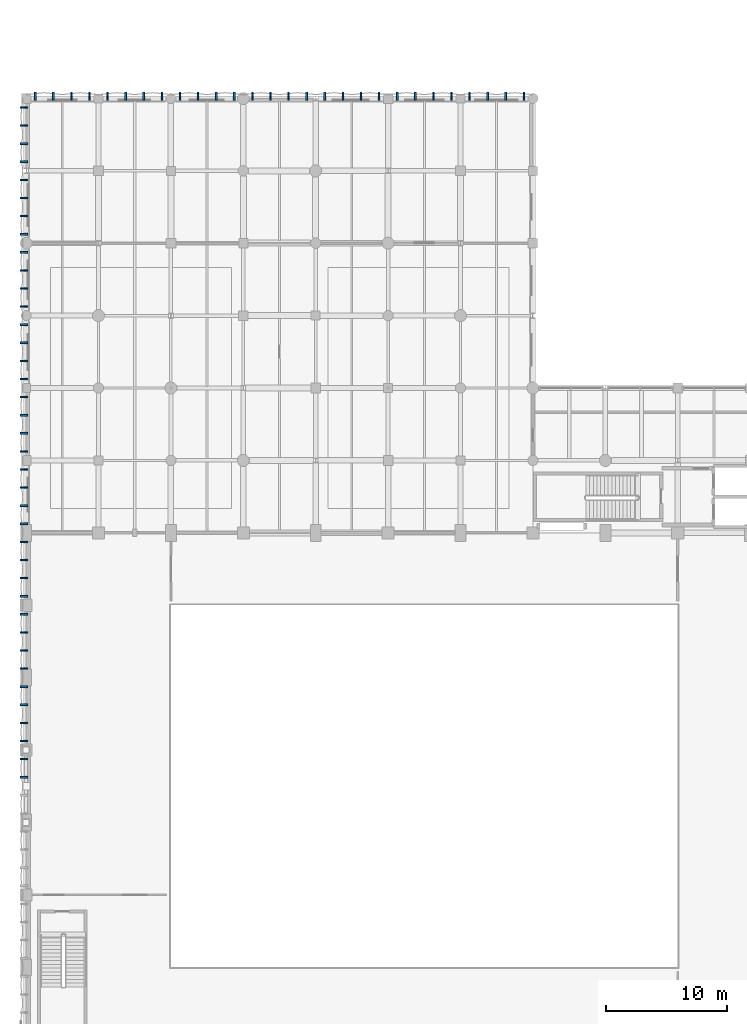
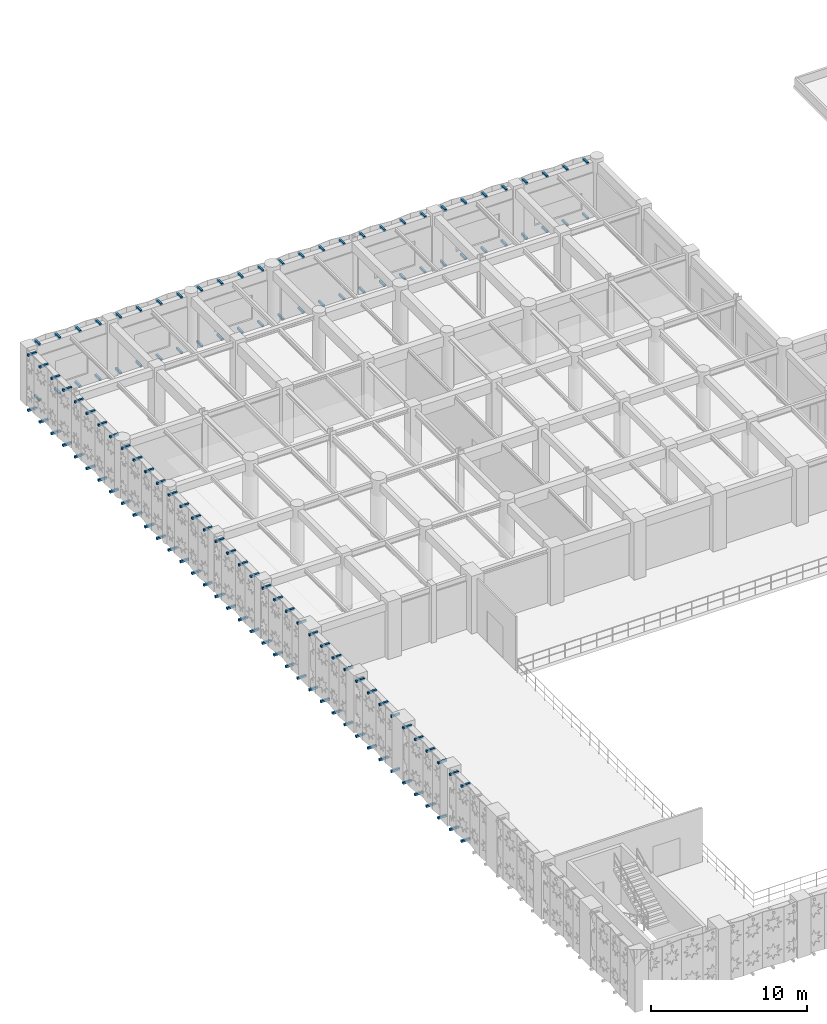
# One storey, part 117 of 133: 132 discrete accessories.
"""IFC4 building model written with IfcOpenShell, lengths in metres."""

from ifc_helpers import new_model, si_unit, direction, frame, origin, origin_2d, place, context, subcontext, project, spatial, rectangle, extrude, material, type_object, element, save


model = new_model("IFC4")

# Units and contexts
model_context = context("Model", 3, precision=1e-05, world=origin(), true_north=direction((0.0, 1.0)))
body_context = subcontext(model_context, "Body", "Model", "MODEL_VIEW")
ifc_project = project(units=[si_unit("LENGTHUNIT", "METRE"), si_unit("AREAUNIT", "SQUARE_METRE"), si_unit("VOLUMEUNIT", "CUBIC_METRE"), si_unit("PLANEANGLEUNIT", "RADIAN"), si_unit("MASSUNIT", "GRAM", prefix="KILO"), si_unit("THERMODYNAMICTEMPERATUREUNIT", "KELVIN"), si_unit("POWERUNIT", "WATT")], contexts=[model_context])

# Site, building, storey
site_placement = place(None, origin())
site = spatial("IfcSite", under=ifc_project, at=site_placement, CompositionType="ELEMENT")
building_placement = place(site_placement, origin())
building = spatial("IfcBuilding", under=site, at=building_placement, Name="Phaisarnlok Congress Hotel", CompositionType="ELEMENT")
storey_placement = place(building_placement, frame((0.0, 0.0, 6.0)))
storey = spatial("IfcBuildingStorey", under=building, at=storey_placement, Name="L01", CompositionType="ELEMENT", Elevation=6.0)

# Discrete accessories
ifc_material = material(Name="Steel S355", Category="steel")
discrete_accessory_type = type_object("IfcDiscreteAccessoryType", Name="ACC-BRK-STL", PredefinedType="BRACKET", material=ifc_material)
for number, where, z_axis, x_axis, name in (
    (1, (-0.183837890625, 63.75, -0.18017578125), (0.0, 0.0, 1.0), (1.0, 0.0, 0.0), "Solar screen steel outrigger bracket BK-01"),
    (2, (-0.183837890625, 63.75, 4.1201171875), (0.0, 0.0, 1.0), (1.0, 0.0, 0.0), "Solar screen steel outrigger bracket BK-01"),
    (3, (-0.183837890625, 65.25, -0.18017578125), (0.0, 0.0, 1.0), (1.0, 0.0, 0.0), "Solar screen steel outrigger bracket BK-01"),
    (4, (-0.183837890625, 65.25, 4.1201171875), (0.0, 0.0, 1.0), (1.0, 0.0, 0.0), "Solar screen steel outrigger bracket BK-01"),
    (5, (-0.183837890625, 66.75, -0.18017578125), (0.0, 0.0, 1.0), (1.0, 0.0, 0.0), "Solar screen steel outrigger bracket BK-01"),
    (6, (-0.183837890625, 66.75, 4.1201171875), (0.0, 0.0, 1.0), (1.0, 0.0, 0.0), "Solar screen steel outrigger bracket BK-01"),
    (7, (-0.183837890625, 68.25, -0.18017578125), (0.0, 0.0, 1.0), (1.0, 0.0, 0.0), "Solar screen steel outrigger bracket BK-01"),
    (8, (-0.183837890625, 68.25, 4.1201171875), (0.0, 0.0, 1.0), (1.0, 0.0, 0.0), "Solar screen steel outrigger bracket BK-01"),
    (9, (-0.183837890625, 69.75, -0.18017578125), (0.0, 0.0, 1.0), (1.0, 0.0, 0.0), "Solar screen steel outrigger bracket BK-01"),
    (10, (-0.183837890625, 69.75, 4.1201171875), (0.0, 0.0, 1.0), (1.0, 0.0, 0.0), "Solar screen steel outrigger bracket BK-01"),
    (11, (-0.183837890625, 71.25, -0.18017578125), (0.0, 0.0, 1.0), (1.0, 0.0, 0.0), "Solar screen steel outrigger bracket BK-01"),
    (12, (-0.183837890625, 71.25, 4.1201171875), (0.0, 0.0, 1.0), (1.0, 0.0, 0.0), "Solar screen steel outrigger bracket BK-01"),
    (13, (-0.183837890625, 72.75, -0.18017578125), (0.0, 0.0, 1.0), (1.0, 0.0, 0.0), "Solar screen steel outrigger bracket BK-01"),
    (14, (-0.183837890625, 72.75, 4.1201171875), (0.0, 0.0, 1.0), (1.0, 0.0, 0.0), "Solar screen steel outrigger bracket BK-01"),
    (15, (-0.183837890625, 74.25, -0.18017578125), (0.0, 0.0, 1.0), (1.0, 0.0, 0.0), "Solar screen steel outrigger bracket BK-01"),
    (16, (-0.183837890625, 74.25, 4.1201171875), (0.0, 0.0, 1.0), (1.0, 0.0, 0.0), "Solar screen steel outrigger bracket BK-01"),
    (17, (-0.183837890625, 75.75, -0.18017578125), (0.0, 0.0, 1.0), (1.0, 0.0, 0.0), "Solar screen steel outrigger bracket BK-01"),
    (18, (-0.183837890625, 75.75, 4.1201171875), (0.0, 0.0, 1.0), (1.0, 0.0, 0.0), "Solar screen steel outrigger bracket BK-01"),
    (19, (-0.183837890625, 77.25, -0.18017578125), (0.0, 0.0, 1.0), (1.0, 0.0, 0.0), "Solar screen steel outrigger bracket BK-01"),
    (20, (-0.183837890625, 77.25, 4.1201171875), (0.0, 0.0, 1.0), (1.0, 0.0, 0.0), "Solar screen steel outrigger bracket BK-01"),
    (21, (-0.183837890625, 78.75, -0.18017578125), (0.0, 0.0, 1.0), (1.0, 0.0, 0.0), "Solar screen steel outrigger bracket BK-01"),
    (22, (-0.183837890625, 78.75, 4.1201171875), (0.0, 0.0, 1.0), (1.0, 0.0, 0.0), "Solar screen steel outrigger bracket BK-01"),
    (23, (-0.183837890625, 80.25, -0.18017578125), (0.0, 0.0, 1.0), (1.0, 0.0, 0.0), "Solar screen steel outrigger bracket BK-01"),
    (24, (-0.183837890625, 80.25, 4.1201171875), (0.0, 0.0, 1.0), (1.0, 0.0, 0.0), "Solar screen steel outrigger bracket BK-01"),
    (25, (-0.183837890625, 81.75, -0.18017578125), (0.0, 0.0, 1.0), (1.0, 0.0, 0.0), "Solar screen steel outrigger bracket BK-01"),
    (26, (-0.183837890625, 81.75, 4.1201171875), (0.0, 0.0, 1.0), (1.0, 0.0, 0.0), "Solar screen steel outrigger bracket BK-01"),
    (27, (-0.183837890625, 83.25, -0.18017578125), (0.0, 0.0, 1.0), (1.0, 0.0, 0.0), "Solar screen steel outrigger bracket BK-01"),
    (28, (-0.183837890625, 83.25, 4.1201171875), (0.0, 0.0, 1.0), (1.0, 0.0, 0.0), "Solar screen steel outrigger bracket BK-01"),
    (29, (-0.183837890625, 84.75, -0.18017578125), (0.0, 0.0, 1.0), (1.0, 0.0, 0.0), "Solar screen steel outrigger bracket BK-01"),
    (30, (-0.183837890625, 84.75, 4.1201171875), (0.0, 0.0, 1.0), (1.0, 0.0, 0.0), "Solar screen steel outrigger bracket BK-01"),
    (31, (-0.183837890625, 86.25, -0.18017578125), (0.0, 0.0, 1.0), (1.0, 0.0, 0.0), "Solar screen steel outrigger bracket BK-01"),
    (32, (-0.183837890625, 86.25, 4.1201171875), (0.0, 0.0, 1.0), (1.0, 0.0, 0.0), "Solar screen steel outrigger bracket BK-01"),
    (33, (-0.183837890625, 87.75, -0.18017578125), (0.0, 0.0, 1.0), (1.0, 0.0, 0.0), "Solar screen steel outrigger bracket BK-01"),
    (34, (-0.183837890625, 87.75, 4.1201171875), (0.0, 0.0, 1.0), (1.0, 0.0, 0.0), "Solar screen steel outrigger bracket BK-01"),
    (35, (-0.183837890625, 89.25, -0.18017578125), (0.0, 0.0, 1.0), (1.0, 0.0, 0.0), "Solar screen steel outrigger bracket BK-01"),
    (36, (-0.183837890625, 89.25, 4.1201171875), (0.0, 0.0, 1.0), (1.0, 0.0, 0.0), "Solar screen steel outrigger bracket BK-01"),
    (37, (-0.183837890625, 90.75, -0.18017578125), (0.0, 0.0, 1.0), (1.0, 0.0, 0.0), "Solar screen steel outrigger bracket BK-01"),
    (38, (-0.183837890625, 90.75, 4.1201171875), (0.0, 0.0, 1.0), (1.0, 0.0, 0.0), "Solar screen steel outrigger bracket BK-01"),
    (39, (-0.183837890625, 92.25, -0.18017578125), (0.0, 0.0, 1.0), (1.0, 0.0, 0.0), "Solar screen steel outrigger bracket BK-01"),
    (40, (-0.183837890625, 92.25, 4.1201171875), (0.0, 0.0, 1.0), (1.0, 0.0, 0.0), "Solar screen steel outrigger bracket BK-01"),
    (41, (-0.183837890625, 93.75, -0.18017578125), (0.0, 0.0, 1.0), (1.0, 0.0, 0.0), "Solar screen steel outrigger bracket BK-01"),
    (42, (-0.183837890625, 93.75, 4.1201171875), (0.0, 0.0, 1.0), (1.0, 0.0, 0.0), "Solar screen steel outrigger bracket BK-01"),
    (43, (-0.183837890625, 95.25, -0.18017578125), (0.0, 0.0, 1.0), (1.0, 0.0, 0.0), "Solar screen steel outrigger bracket BK-01"),
    (44, (-0.183837890625, 95.25, 4.1201171875), (0.0, 0.0, 1.0), (1.0, 0.0, 0.0), "Solar screen steel outrigger bracket BK-01"),
    (45, (-0.183837890625, 96.75, -0.18017578125), (0.0, 0.0, 1.0), (1.0, 0.0, 0.0), "Solar screen steel outrigger bracket BK-01"),
    (46, (-0.183837890625, 96.75, 4.1201171875), (0.0, 0.0, 1.0), (1.0, 0.0, 0.0), "Solar screen steel outrigger bracket BK-01"),
    (47, (-0.183837890625, 98.25, -0.18017578125), (0.0, 0.0, 1.0), (1.0, 0.0, 0.0), "Solar screen steel outrigger bracket BK-01"),
    (48, (-0.183837890625, 98.25, 4.1201171875), (0.0, 0.0, 1.0), (1.0, 0.0, 0.0), "Solar screen steel outrigger bracket BK-01"),
    (49, (-0.183837890625, 99.75, -0.18017578125), (0.0, 0.0, 1.0), (1.0, 0.0, 0.0), "Solar screen steel outrigger bracket BK-01"),
    (50, (-0.183837890625, 99.75, 4.1201171875), (0.0, 0.0, 1.0), (1.0, 0.0, 0.0), "Solar screen steel outrigger bracket BK-01"),
    (51, (-0.183837890625, 101.25, -0.18017578125), (0.0, 0.0, 1.0), (1.0, 0.0, 0.0), "Solar screen steel outrigger bracket BK-01"),
    (52, (-0.183837890625, 101.25, 4.1201171875), (0.0, 0.0, 1.0), (1.0, 0.0, 0.0), "Solar screen steel outrigger bracket BK-01"),
    (53, (-0.183837890625, 102.75, -0.18017578125), (0.0, 0.0, 1.0), (1.0, 0.0, 0.0), "Solar screen steel outrigger bracket BK-01"),
    (54, (-0.183837890625, 102.75, 4.1201171875), (0.0, 0.0, 1.0), (1.0, 0.0, 0.0), "Solar screen steel outrigger bracket BK-01"),
    (55, (-0.183837890625, 104.25, -0.18017578125), (0.0, 0.0, 1.0), (1.0, 0.0, 0.0), "Solar screen steel outrigger bracket BK-01"),
    (56, (-0.183837890625, 104.25, 4.1201171875), (0.0, 0.0, 1.0), (1.0, 0.0, 0.0), "Solar screen steel outrigger bracket BK-01"),
    (57, (-0.183837890625, 105.75, -0.18017578125), (0.0, 0.0, 1.0), (1.0, 0.0, 0.0), "Solar screen steel outrigger bracket BK-01"),
    (58, (-0.183837890625, 105.75, 4.1201171875), (0.0, 0.0, 1.0), (1.0, 0.0, 0.0), "Solar screen steel outrigger bracket BK-01"),
    (59, (-0.183837890625, 107.25, -0.18017578125), (0.0, 0.0, 1.0), (1.0, 0.0, 0.0), "Solar screen steel outrigger bracket BK-01"),
    (60, (-0.183837890625, 107.25, 4.1201171875), (0.0, 0.0, 1.0), (1.0, 0.0, 0.0), "Solar screen steel outrigger bracket BK-01"),
    (61, (-0.183837890625, 108.75, -0.18017578125), (0.0, 0.0, 1.0), (1.0, 0.0, 0.0), "Solar screen steel outrigger bracket BK-01"),
    (62, (-0.183837890625, 108.75, 4.1201171875), (0.0, 0.0, 1.0), (1.0, 0.0, 0.0), "Solar screen steel outrigger bracket BK-01"),
    (63, (-0.183837890625, 110.25, -0.18017578125), (0.0, 0.0, 1.0), (1.0, 0.0, 0.0), "Solar screen steel outrigger bracket BK-01"),
    (64, (-0.183837890625, 110.25, 4.1201171875), (0.0, 0.0, 1.0), (1.0, 0.0, 0.0), "Solar screen steel outrigger bracket BK-01"),
    (65, (-0.183837890625, 111.75, -0.18017578125), (0.0, 0.0, 1.0), (1.0, 0.0, 0.0), "Solar screen steel outrigger bracket BK-01"),
    (66, (-0.183837890625, 111.75, 4.1201171875), (0.0, 0.0, 1.0), (1.0, 0.0, 0.0), "Solar screen steel outrigger bracket BK-01"),
    (67, (-0.183837890625, 113.25, -0.18017578125), (0.0, 0.0, 1.0), (1.0, 0.0, 0.0), "Solar screen steel outrigger bracket BK-01"),
    (68, (-0.183837890625, 113.25, 4.1201171875), (0.0, 0.0, 1.0), (1.0, 0.0, 0.0), "Solar screen steel outrigger bracket BK-01"),
    (69, (-0.183837890625, 114.75, -0.18017578125), (0.0, 0.0, 1.0), (1.0, 0.0, 0.0), "Solar screen steel outrigger bracket BK-01"),
    (70, (-0.183837890625, 114.75, 4.1201171875), (0.0, 0.0, 1.0), (1.0, 0.0, 0.0), "Solar screen steel outrigger bracket BK-01"),
    (71, (-0.183837890625, 116.25, -0.18017578125), (0.0, 0.0, 1.0), (1.0, 0.0, 0.0), "Solar screen steel outrigger bracket BK-01"),
    (72, (-0.183837890625, 116.25, 4.1201171875), (0.0, 0.0, 1.0), (1.0, 0.0, 0.0), "Solar screen steel outrigger bracket BK-01"),
    (73, (-0.183837890625, 117.75, -0.18017578125), (0.0, 0.0, 1.0), (1.0, 0.0, 0.0), "Solar screen steel outrigger bracket BK-01"),
    (74, (-0.183837890625, 117.75, 4.1201171875), (0.0, 0.0, 1.0), (1.0, 0.0, 0.0), "Solar screen steel outrigger bracket BK-01"),
    (75, (-0.183837890625, 119.25, -0.18017578125), (0.0, 0.0, 1.0), (1.0, 0.0, 0.0), "Solar screen steel outrigger bracket BK-01"),
    (76, (-0.183837890625, 119.25, 4.1201171875), (0.0, 0.0, 1.0), (1.0, 0.0, 0.0), "Solar screen steel outrigger bracket BK-01"),
):
    element("IfcDiscreteAccessory", number, at=place(storey_placement, frame(where, z_axis=z_axis, x_axis=x_axis)), inside=storey, type_object=discrete_accessory_type, Name=name, PredefinedType="BRACKET", context=body_context, shape_type="SweptSolid", body=[
        extrude(rectangle(XDim=0.647705078125, YDim=0.139892578125, at=origin_2d()), origin(), (0.0, 0.0, 1.0), 0.159912109375),
    ])
for number, where, z_axis, x_axis, name in (
    (77, (0.75, 120.183837890625, -0.18017578125), (0.0, 0.0, 1.0), (1.0, 0.0, 0.0), "Solar screen steel outrigger bracket BK-01"),
    (78, (0.75, 120.183837890625, 4.1201171875), (0.0, 0.0, 1.0), (1.0, 0.0, 0.0), "Solar screen steel outrigger bracket BK-01"),
    (79, (2.25, 120.183837890625, -0.18017578125), (0.0, 0.0, 1.0), (1.0, 0.0, 0.0), "Solar screen steel outrigger bracket BK-01"),
    (80, (2.25, 120.183837890625, 4.1201171875), (0.0, 0.0, 1.0), (1.0, 0.0, 0.0), "Solar screen steel outrigger bracket BK-01"),
    (81, (3.75, 120.183837890625, -0.18017578125), (0.0, 0.0, 1.0), (1.0, 0.0, 0.0), "Solar screen steel outrigger bracket BK-01"),
    (82, (3.75, 120.183837890625, 4.1201171875), (0.0, 0.0, 1.0), (1.0, 0.0, 0.0), "Solar screen steel outrigger bracket BK-01"),
    (83, (5.25, 120.183837890625, -0.18017578125), (0.0, 0.0, 1.0), (1.0, 0.0, 0.0), "Solar screen steel outrigger bracket BK-01"),
    (84, (5.25, 120.183837890625, 4.1201171875), (0.0, 0.0, 1.0), (1.0, 0.0, 0.0), "Solar screen steel outrigger bracket BK-01"),
    (85, (6.75, 120.183837890625, -0.18017578125), (0.0, 0.0, 1.0), (1.0, 0.0, 0.0), "Solar screen steel outrigger bracket BK-01"),
    (86, (6.75, 120.183837890625, 4.1201171875), (0.0, 0.0, 1.0), (1.0, 0.0, 0.0), "Solar screen steel outrigger bracket BK-01"),
    (87, (8.25, 120.183837890625, -0.18017578125), (0.0, 0.0, 1.0), (1.0, 0.0, 0.0), "Solar screen steel outrigger bracket BK-01"),
    (88, (8.25, 120.183837890625, 4.1201171875), (0.0, 0.0, 1.0), (1.0, 0.0, 0.0), "Solar screen steel outrigger bracket BK-01"),
    (89, (9.75, 120.183837890625, -0.18017578125), (0.0, 0.0, 1.0), (1.0, 0.0, 0.0), "Solar screen steel outrigger bracket BK-01"),
    (90, (9.75, 120.183837890625, 4.1201171875), (0.0, 0.0, 1.0), (1.0, 0.0, 0.0), "Solar screen steel outrigger bracket BK-01"),
    (91, (11.25, 120.183837890625, -0.18017578125), (0.0, 0.0, 1.0), (1.0, 0.0, 0.0), "Solar screen steel outrigger bracket BK-01"),
    (92, (11.25, 120.183837890625, 4.1201171875), (0.0, 0.0, 1.0), (1.0, 0.0, 0.0), "Solar screen steel outrigger bracket BK-01"),
    (93, (12.75, 120.183837890625, -0.18017578125), (0.0, 0.0, 1.0), (1.0, 0.0, 0.0), "Solar screen steel outrigger bracket BK-01"),
    (94, (12.75, 120.183837890625, 4.1201171875), (0.0, 0.0, 1.0), (1.0, 0.0, 0.0), "Solar screen steel outrigger bracket BK-01"),
    (95, (14.25, 120.183837890625, -0.18017578125), (0.0, 0.0, 1.0), (1.0, 0.0, 0.0), "Solar screen steel outrigger bracket BK-01"),
    (96, (14.25, 120.183837890625, 4.1201171875), (0.0, 0.0, 1.0), (1.0, 0.0, 0.0), "Solar screen steel outrigger bracket BK-01"),
    (97, (15.75, 120.183837890625, -0.18017578125), (0.0, 0.0, 1.0), (1.0, 0.0, 0.0), "Solar screen steel outrigger bracket BK-01"),
    (98, (15.75, 120.183837890625, 4.1201171875), (0.0, 0.0, 1.0), (1.0, 0.0, 0.0), "Solar screen steel outrigger bracket BK-01"),
    (99, (17.25, 120.183837890625, -0.18017578125), (0.0, 0.0, 1.0), (1.0, 0.0, 0.0), "Solar screen steel outrigger bracket BK-01"),
    (100, (17.25, 120.183837890625, 4.1201171875), (0.0, 0.0, 1.0), (1.0, 0.0, 0.0), "Solar screen steel outrigger bracket BK-01"),
    (101, (18.75, 120.183837890625, -0.18017578125), (0.0, 0.0, 1.0), (1.0, 0.0, 0.0), "Solar screen steel outrigger bracket BK-01"),
    (102, (18.75, 120.183837890625, 4.1201171875), (0.0, 0.0, 1.0), (1.0, 0.0, 0.0), "Solar screen steel outrigger bracket BK-01"),
    (103, (20.25, 120.183837890625, -0.18017578125), (0.0, 0.0, 1.0), (1.0, 0.0, 0.0), "Solar screen steel outrigger bracket BK-01"),
    (104, (20.25, 120.183837890625, 4.1201171875), (0.0, 0.0, 1.0), (1.0, 0.0, 0.0), "Solar screen steel outrigger bracket BK-01"),
    (105, (21.75, 120.183837890625, -0.18017578125), (0.0, 0.0, 1.0), (1.0, 0.0, 0.0), "Solar screen steel outrigger bracket BK-01"),
    (106, (21.75, 120.183837890625, 4.1201171875), (0.0, 0.0, 1.0), (1.0, 0.0, 0.0), "Solar screen steel outrigger bracket BK-01"),
    (107, (23.25, 120.183837890625, -0.18017578125), (0.0, 0.0, 1.0), (1.0, 0.0, 0.0), "Solar screen steel outrigger bracket BK-01"),
    (108, (23.25, 120.183837890625, 4.1201171875), (0.0, 0.0, 1.0), (1.0, 0.0, 0.0), "Solar screen steel outrigger bracket BK-01"),
    (109, (24.75, 120.183837890625, -0.18017578125), (0.0, 0.0, 1.0), (1.0, 0.0, 0.0), "Solar screen steel outrigger bracket BK-01"),
    (110, (24.75, 120.183837890625, 4.1201171875), (0.0, 0.0, 1.0), (1.0, 0.0, 0.0), "Solar screen steel outrigger bracket BK-01"),
    (111, (26.25, 120.183837890625, -0.18017578125), (0.0, 0.0, 1.0), (1.0, 0.0, 0.0), "Solar screen steel outrigger bracket BK-01"),
    (112, (26.25, 120.183837890625, 4.1201171875), (0.0, 0.0, 1.0), (1.0, 0.0, 0.0), "Solar screen steel outrigger bracket BK-01"),
    (113, (27.75, 120.183837890625, -0.18017578125), (0.0, 0.0, 1.0), (1.0, 0.0, 0.0), "Solar screen steel outrigger bracket BK-01"),
    (114, (27.75, 120.183837890625, 4.1201171875), (0.0, 0.0, 1.0), (1.0, 0.0, 0.0), "Solar screen steel outrigger bracket BK-01"),
    (115, (29.25, 120.183837890625, -0.18017578125), (0.0, 0.0, 1.0), (1.0, 0.0, 0.0), "Solar screen steel outrigger bracket BK-01"),
    (116, (29.25, 120.183837890625, 4.1201171875), (0.0, 0.0, 1.0), (1.0, 0.0, 0.0), "Solar screen steel outrigger bracket BK-01"),
    (117, (30.75, 120.183837890625, -0.18017578125), (0.0, 0.0, 1.0), (1.0, 0.0, 0.0), "Solar screen steel outrigger bracket BK-01"),
    (118, (30.75, 120.183837890625, 4.1201171875), (0.0, 0.0, 1.0), (1.0, 0.0, 0.0), "Solar screen steel outrigger bracket BK-01"),
    (119, (32.25, 120.183837890625, -0.18017578125), (0.0, 0.0, 1.0), (1.0, 0.0, 0.0), "Solar screen steel outrigger bracket BK-01"),
    (120, (32.25, 120.183837890625, 4.1201171875), (0.0, 0.0, 1.0), (1.0, 0.0, 0.0), "Solar screen steel outrigger bracket BK-01"),
    (121, (33.75, 120.183837890625, -0.18017578125), (0.0, 0.0, 1.0), (1.0, 0.0, 0.0), "Solar screen steel outrigger bracket BK-01"),
    (122, (33.75, 120.183837890625, 4.1201171875), (0.0, 0.0, 1.0), (1.0, 0.0, 0.0), "Solar screen steel outrigger bracket BK-01"),
    (123, (35.25, 120.183837890625, -0.18017578125), (0.0, 0.0, 1.0), (1.0, 0.0, 0.0), "Solar screen steel outrigger bracket BK-01"),
    (124, (35.25, 120.183837890625, 4.1201171875), (0.0, 0.0, 1.0), (1.0, 0.0, 0.0), "Solar screen steel outrigger bracket BK-01"),
    (125, (36.75, 120.183837890625, -0.18017578125), (0.0, 0.0, 1.0), (1.0, 0.0, 0.0), "Solar screen steel outrigger bracket BK-01"),
    (126, (36.75, 120.183837890625, 4.1201171875), (0.0, 0.0, 1.0), (1.0, 0.0, 0.0), "Solar screen steel outrigger bracket BK-01"),
    (127, (38.25, 120.183837890625, -0.18017578125), (0.0, 0.0, 1.0), (1.0, 0.0, 0.0), "Solar screen steel outrigger bracket BK-01"),
    (128, (38.25, 120.183837890625, 4.1201171875), (0.0, 0.0, 1.0), (1.0, 0.0, 0.0), "Solar screen steel outrigger bracket BK-01"),
    (129, (39.75, 120.183837890625, -0.18017578125), (0.0, 0.0, 1.0), (1.0, 0.0, 0.0), "Solar screen steel outrigger bracket BK-01"),
    (130, (39.75, 120.183837890625, 4.1201171875), (0.0, 0.0, 1.0), (1.0, 0.0, 0.0), "Solar screen steel outrigger bracket BK-01"),
    (131, (41.25, 120.183837890625, -0.18017578125), (0.0, 0.0, 1.0), (1.0, 0.0, 0.0), "Solar screen steel outrigger bracket BK-01"),
    (132, (41.25, 120.183837890625, 4.1201171875), (0.0, 0.0, 1.0), (1.0, 0.0, 0.0), "Solar screen steel outrigger bracket BK-01"),
):
    element("IfcDiscreteAccessory", number, at=place(storey_placement, frame(where, z_axis=z_axis, x_axis=x_axis)), inside=storey, type_object=discrete_accessory_type, Name=name, PredefinedType="BRACKET", context=body_context, shape_type="SweptSolid", body=[
        extrude(rectangle(XDim=0.139892578125, YDim=0.647705078125, at=origin_2d()), origin(), (0.0, 0.0, 1.0), 0.159912109375),
    ])

save(model, "model.ifc")
